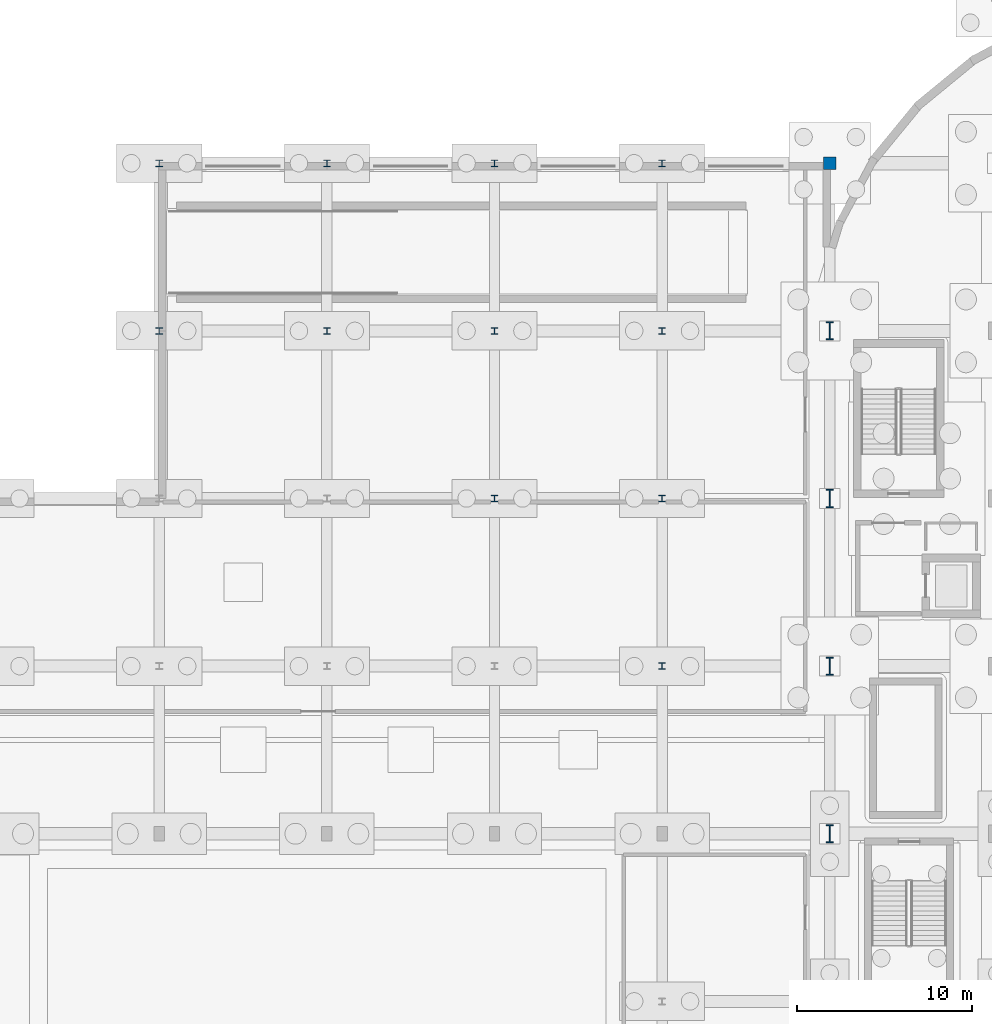
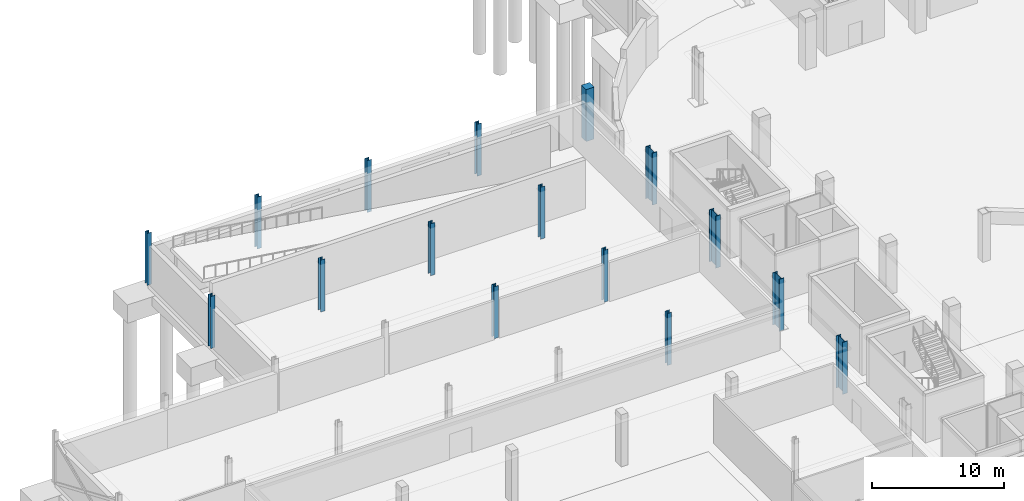
# One storey, part 18 of 67: 16 columns.
"""IFC4 building model written with IfcOpenShell, lengths in metres."""

from ifc_helpers import new_model, si_unit, direction, frame, origin, origin_2d, place, context, subcontext, project, spatial, rectangle, i_section, extrude, material, material_profile, profile_set, type_object, element, save


model = new_model("IFC4")

# Units and contexts
model_context = context("Model", 3, precision=1e-05, world=origin(), true_north=direction((0.0, 1.0)))
body_context = subcontext(model_context, "Body", "Model", "MODEL_VIEW")
ifc_project = project(units=[si_unit("LENGTHUNIT", "METRE"), si_unit("AREAUNIT", "SQUARE_METRE"), si_unit("VOLUMEUNIT", "CUBIC_METRE"), si_unit("PLANEANGLEUNIT", "RADIAN"), si_unit("MASSUNIT", "GRAM", prefix="KILO")], contexts=[model_context])

# Site, building, storey
site_placement = place(None, origin())
site = spatial("IfcSite", under=ifc_project, at=site_placement, CompositionType="ELEMENT")
building_placement = place(site_placement, origin())
building = spatial("IfcBuilding", under=site, at=building_placement, Name="Caelomonte Colonnade Arena", CompositionType="ELEMENT")
storey_placement = place(building_placement, frame((0.0, 0.0, -4.800048828125)))
storey = spatial("IfcBuildingStorey", under=building, at=storey_placement, Name="B1", CompositionType="ELEMENT", Elevation=-4.800048828125)

# Columns
ifc_material_1 = material(Name="Concrete C40/50", Category="concrete")
ifc_material_profile_1 = material_profile(ifc_material_1, rectangle(XDim=0.699951171875, YDim=0.699951171875, at=origin_2d()), Name="RC700X700")
ifc_profile_set_1 = profile_set([ifc_material_profile_1], Name="Concrete C40/50")
column_type_1 = type_object("IfcColumnType", Name="STR-COL-RC07", PredefinedType="COLUMN", material=ifc_profile_set_1)
column_placement = place(storey_placement, frame((57.60009765625, 105.60009765625, 0.0), z_axis=(0.0, 0.0, 1.0), x_axis=(1.0, 0.0, 0.0)))
element("IfcColumn", 1, at=column_placement, inside=storey, type_object=column_type_1, Name="B1 column (57.6, 105.6)", PredefinedType="COLUMN", context=body_context, shape_type="SweptSolid", body=[
    extrude(rectangle(XDim=0.699951171875, YDim=0.699951171875, at=origin_2d()), origin(), (0.0, 0.0, 1.0), 4.800048828125),
])
ifc_material_2 = material(Name="Wide-flange steel ASTM A992 Grade 50", Category="steel")
ifc_material_profile_2 = material_profile(ifc_material_2, i_section(OverallWidth=0.3740234375, OverallDepth=0.372314453125, WebThickness=0.016357421875, FlangeThickness=0.026123046875, FilletRadius=0.01513671875, at=origin_2d()), Name="W14X132")
ifc_profile_set_2 = profile_set([ifc_material_profile_2], Name="Wide-flange steel ASTM A992 Grade 50")
column_type_2 = type_object("IfcColumnType", Name="STR-COL-W14A", PredefinedType="COLUMN", material=ifc_profile_set_2)
for number, where, z_axis, x_axis, name in (
    (2, (19.199951171875, 96.0, 0.0), (0.0, 0.0, 1.0), (1.0, 0.0, 0.0), "B1 column (19.2, 96.0)"),
    (3, (19.199951171875, 105.60009765625, 0.0), (0.0, 0.0, 1.0), (1.0, 0.0, 0.0), "B1 column (19.2, 105.6)"),
    (4, (28.800048828125, 96.0, 0.0), (0.0, 0.0, 1.0), (1.0, 0.0, 0.0), "B1 column (28.8, 96.0)"),
    (5, (28.800048828125, 105.60009765625, 0.0), (0.0, 0.0, 1.0), (1.0, 0.0, 0.0), "B1 column (28.8, 105.6)"),
    (6, (38.39990234375, 86.39990234375, 0.0), (0.0, 0.0, 1.0), (1.0, 0.0, 0.0), "B1 column (38.4, 86.4)"),
    (7, (38.39990234375, 96.0, 0.0), (0.0, 0.0, 1.0), (1.0, 0.0, 0.0), "B1 column (38.4, 96.0)"),
    (8, (38.39990234375, 105.60009765625, 0.0), (0.0, 0.0, 1.0), (1.0, 0.0, 0.0), "B1 column (38.4, 105.6)"),
    (9, (48.0, 76.800048828125, 0.0), (0.0, 0.0, 1.0), (1.0, 0.0, 0.0), "B1 column (48.0, 76.8)"),
    (10, (48.0, 86.39990234375, 0.0), (0.0, 0.0, 1.0), (1.0, 0.0, 0.0), "B1 column (48.0, 86.4)"),
    (11, (48.0, 96.0, 0.0), (0.0, 0.0, 1.0), (1.0, 0.0, 0.0), "B1 column (48.0, 96.0)"),
    (12, (48.0, 105.60009765625, 0.0), (0.0, 0.0, 1.0), (1.0, 0.0, 0.0), "B1 column (48.0, 105.6)"),
):
    element("IfcColumn", number, at=place(storey_placement, frame(where, z_axis=z_axis, x_axis=x_axis)), inside=storey, type_object=column_type_2, Name=name, PredefinedType="COLUMN", context=body_context, shape_type="SweptSolid", body=[
        extrude(i_section(OverallWidth=0.3740234375, OverallDepth=0.372314453125, WebThickness=0.016357421875, FlangeThickness=0.026123046875, FilletRadius=0.01513671875, at=origin_2d()), origin(), (0.0, 0.0, 1.0), 4.800048828125),
    ])
ifc_material_profile_3 = material_profile(ifc_material_2, i_section(OverallWidth=0.427001953125, OverallDepth=1.04150390625, WebThickness=0.031005859375, FlangeThickness=0.055908203125, FilletRadius=0.030517578125, at=origin_2d()), Name="W40X397")
ifc_profile_set_3 = profile_set([ifc_material_profile_3], Name="Wide-flange steel ASTM A992 Grade 50")
column_type_3 = type_object("IfcColumnType", Name="STR-COL-W40A", PredefinedType="COLUMN", material=ifc_profile_set_3)
for number, where, z_axis, x_axis, name in (
    (13, (57.60009765625, 67.199951171875, 0.0), (0.0, 0.0, 1.0), (1.0, 0.0, 0.0), "B1 column (57.6, 67.2)"),
    (14, (57.60009765625, 76.800048828125, 0.0), (0.0, 0.0, 1.0), (1.0, 0.0, 0.0), "B1 column (57.6, 76.8)"),
    (15, (57.60009765625, 86.39990234375, 0.0), (0.0, 0.0, 1.0), (1.0, 0.0, 0.0), "B1 column (57.6, 86.4)"),
    (16, (57.60009765625, 96.0, 0.0), (0.0, 0.0, 1.0), (1.0, 0.0, 0.0), "B1 column (57.6, 96.0)"),
):
    element("IfcColumn", number, at=place(storey_placement, frame(where, z_axis=z_axis, x_axis=x_axis)), inside=storey, type_object=column_type_3, Name=name, PredefinedType="COLUMN", context=body_context, shape_type="SweptSolid", body=[
        extrude(i_section(OverallWidth=0.427001953125, OverallDepth=1.04150390625, WebThickness=0.031005859375, FlangeThickness=0.055908203125, FilletRadius=0.030517578125, at=origin_2d()), origin(), (0.0, 0.0, 1.0), 4.800048828125),
    ])

save(model, "model.ifc")
